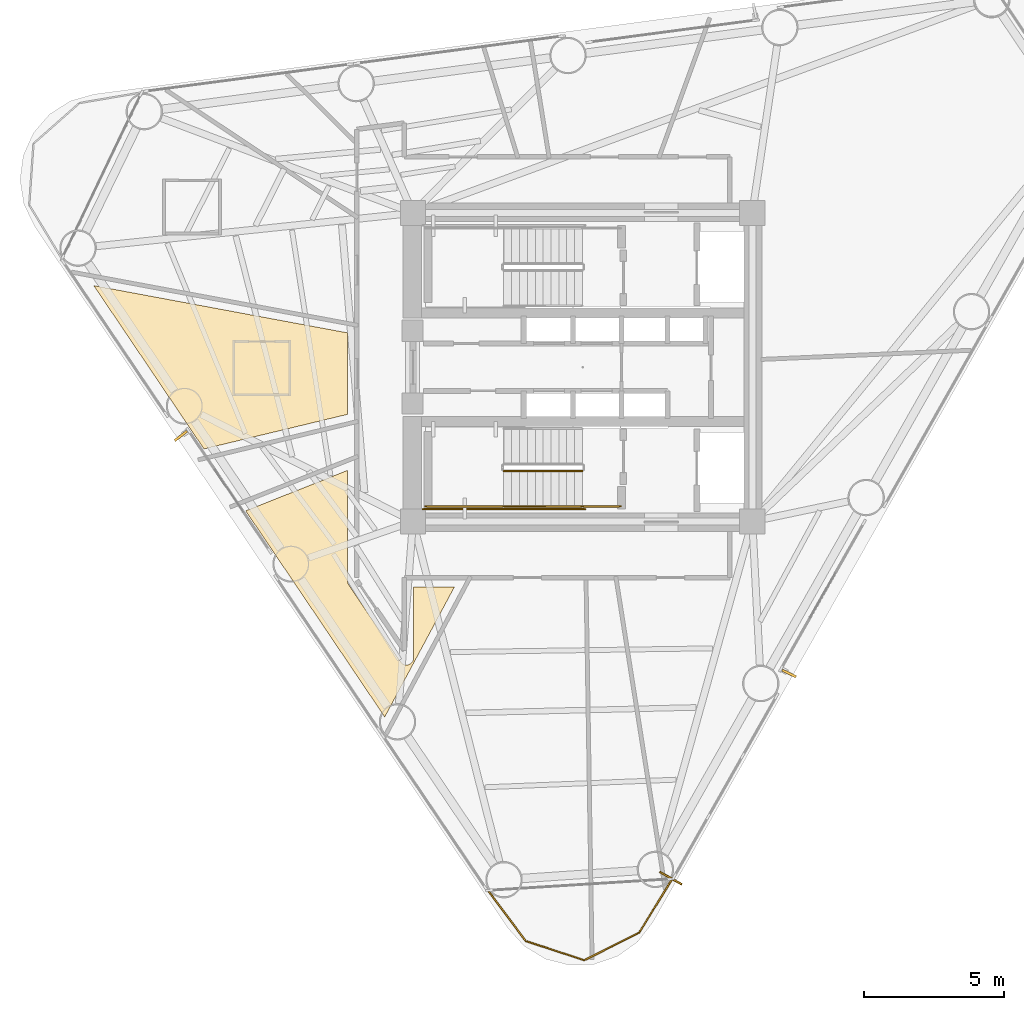
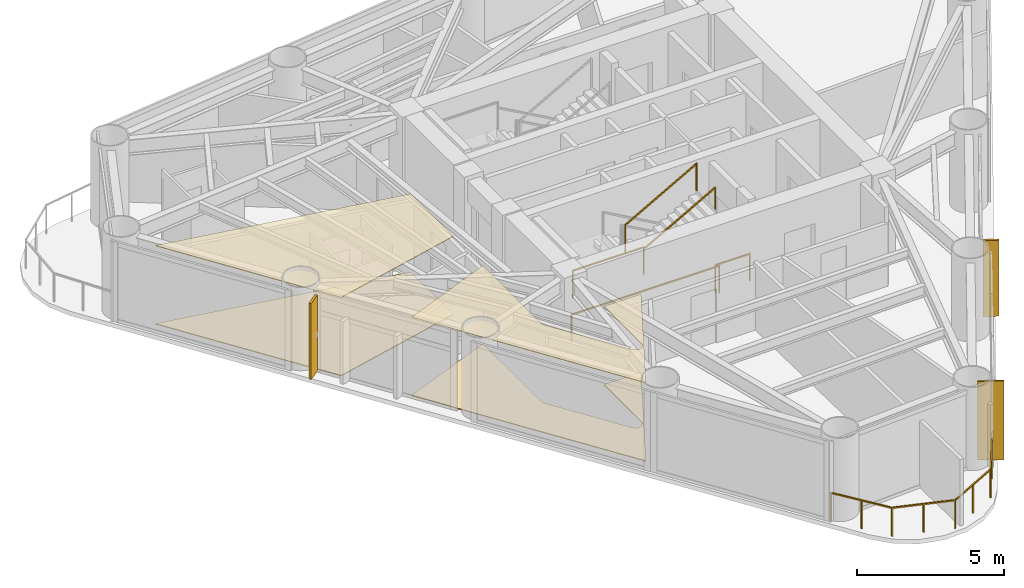
# One storey, part 7 of 10: 6 railings, 5 coverings, 2 shading devices.
"""IFC4 building model written with IfcOpenShell, lengths in metres."""

from ifc_helpers import new_model, si_unit, direction, frame, origin, origin_2d, place, context, subcontext, project, spatial, polyline, rectangle, outline, extrude, source, transform, mapped, material, layer, layer_set, material_profile, profile_set, type_object, element, save


model = new_model("IFC4")

# Units and contexts
model_context = context("Model", 3, precision=1e-05, world=origin(), true_north=direction((0.0, 1.0)))
body_context = subcontext(model_context, "Body", "Model", "MODEL_VIEW")
ifc_project = project(units=[si_unit("LENGTHUNIT", "METRE"), si_unit("AREAUNIT", "SQUARE_METRE"), si_unit("VOLUMEUNIT", "CUBIC_METRE"), si_unit("PLANEANGLEUNIT", "RADIAN"), si_unit("MASSUNIT", "GRAM", prefix="KILO")], contexts=[model_context])

# Site, building, storey
site_placement = place(None, origin())
site = spatial("IfcSite", under=ifc_project, at=site_placement, CompositionType="ELEMENT")
building_placement = place(site_placement, origin())
building = spatial("IfcBuilding", under=site, at=building_placement, Name="Yunling Apex Tower", CompositionType="ELEMENT")
storey_placement = place(building_placement, frame((0.0, 0.0, 158.75)))
storey = spatial("IfcBuildingStorey", under=building, at=storey_placement, Name="L38", CompositionType="ELEMENT", Elevation=158.75)

# Coverings
ifc_material_1 = material(Name="Acoustic mineral fibre ceiling")
ifc_layer_1 = layer(ifc_material_1, 0.02490234375)
ifc_layer_set_1 = layer_set([ifc_layer_1], Name="Acoustic mineral fibre ceiling")
covering_type_1 = type_object("IfcCoveringType", Name="CV-CLG-1", PredefinedType="CEILING", material=ifc_layer_set_1)
covering_1_placement = place(storey_placement, frame((0.0, 0.0, 3.2451171875)))
element("IfcCovering", 1, at=covering_1_placement, inside=storey, type_object=covering_type_1, Name="CV-CL-SP-L38-HAM1", PredefinedType="CEILING", context=body_context, shape_type="SweptSolid", body=[
    extrude(outline(polyline([(-7.056884765625, -12.47216796875), (-12.01513671875, -5.12109375), (-8.3798828125, -3.678955078125), (-8.3798828125, -7.630126953125), (-8.37939453125, -7.6513671875), (-8.375, -7.677001953125), (-8.369384765625, -7.698974609375), (-8.361083984375, -7.722900390625), (-8.35009765625, -7.7451171875), (-8.340576171875, -7.76123046875), (-6.48291015625, -10.515380859375), (-6.47119140625, -10.5302734375), (-6.456787109375, -10.546142578125), (-6.438720703125, -10.562744140625), (-6.417236328125, -10.578369140625), (-6.398193359375, -10.58935546875), (-6.374755859375, -10.601318359375), (-6.34912109375, -10.609619140625), (-6.331298828125, -10.614013671875), (-6.305419921875, -10.618408203125), (-6.27587890625, -10.619384765625), (-6.25439453125, -10.617919921875), (-6.233154296875, -10.614990234375), (-6.20703125, -10.608642578125), (-6.182373046875, -10.599609375), (-6.161376953125, -10.58935546875), (-6.14306640625, -10.578369140625), (-6.12060546875, -10.5625), (-6.101318359375, -10.544189453125), (-6.0869140625, -10.5283203125), (-6.072265625, -10.508544921875), (-6.05859375, -10.486083984375), (-6.04833984375, -10.4638671875), (-6.040283203125, -10.44091796875), (-6.034912109375, -10.41943359375), (-6.03076171875, -10.39453125), (-6.030029296875, -10.372802734375), (-6.030029296875, -7.830078125), (-4.569580078125, -7.830078125), (-7.056884765625, -12.47216796875)])), origin(), (0.0, 0.0, 1.0), 0.02490234375),
])
covering_2_placement = place(storey_placement, frame((0.0, 0.0, 3.2451171875)))
element("IfcCovering", 2, at=covering_2_placement, inside=storey, type_object=covering_type_1, Name="CV-CL-SP-L38-GR12", PredefinedType="CEILING", context=body_context, shape_type="SweptSolid", body=[
    extrude(outline(polyline([(-17.431884765625, 2.909423828125), (-8.3798828125, 1.224365234375), (-8.3798828125, -1.679443359375), (-13.50390625, -2.913818359375), (-17.431884765625, 2.909423828125)])), origin(), (0.0, 0.0, 1.0), 0.02490234375),
])
ifc_material_2 = material(Name="Polished granite stone", Category="masonry")
ifc_layer_2 = layer(ifc_material_2, 0.030029296875)
ifc_layer_set_2 = layer_set([ifc_layer_2], Name="Polished granite stone")
covering_type_2 = type_object("IfcCoveringType", Name="CV-FLR-1", PredefinedType="FLOORING", material=ifc_layer_set_2)
covering_3_placement = place(storey_placement, origin())
element("IfcCovering", 3, at=covering_3_placement, inside=storey, type_object=covering_type_2, Name="CV-FL-SP-L38-HAM1", PredefinedType="FLOORING", context=body_context, shape_type="SweptSolid", body=[
    extrude(outline(polyline([(-7.056884765625, -12.47216796875), (-12.01513671875, -5.12109375), (-8.3798828125, -3.678955078125), (-8.3798828125, -7.630126953125), (-8.37939453125, -7.6513671875), (-8.375, -7.677001953125), (-8.369384765625, -7.698974609375), (-8.361083984375, -7.722900390625), (-8.35009765625, -7.7451171875), (-8.340576171875, -7.76123046875), (-6.48291015625, -10.515380859375), (-6.47119140625, -10.5302734375), (-6.456787109375, -10.546142578125), (-6.438720703125, -10.562744140625), (-6.417236328125, -10.578369140625), (-6.398193359375, -10.58935546875), (-6.374755859375, -10.601318359375), (-6.34912109375, -10.609619140625), (-6.331298828125, -10.614013671875), (-6.305419921875, -10.618408203125), (-6.27587890625, -10.619384765625), (-6.25439453125, -10.617919921875), (-6.233154296875, -10.614990234375), (-6.20703125, -10.608642578125), (-6.182373046875, -10.599609375), (-6.161376953125, -10.58935546875), (-6.14306640625, -10.578369140625), (-6.12060546875, -10.5625), (-6.101318359375, -10.544189453125), (-6.0869140625, -10.5283203125), (-6.072265625, -10.508544921875), (-6.05859375, -10.486083984375), (-6.04833984375, -10.4638671875), (-6.040283203125, -10.44091796875), (-6.034912109375, -10.41943359375), (-6.03076171875, -10.39453125), (-6.030029296875, -10.372802734375), (-6.030029296875, -7.830078125), (-4.569580078125, -7.830078125), (-7.056884765625, -12.47216796875)])), origin(), (0.0, 0.0, 1.0), 0.030029296875),
])
covering_4_placement = place(storey_placement, origin())
element("IfcCovering", 4, at=covering_4_placement, inside=storey, type_object=covering_type_2, Name="CV-FL-SP-L38-GR12", PredefinedType="FLOORING", context=body_context, shape_type="SweptSolid", body=[
    extrude(outline(polyline([(-17.431884765625, 2.909423828125), (-8.3798828125, 1.224365234375), (-8.3798828125, -1.679443359375), (-13.50390625, -2.913818359375), (-17.431884765625, 2.909423828125)])), origin(), (0.0, 0.0, 1.0), 0.030029296875),
])

# Railings
ifc_material_3 = material(Name="Bronze anodised aluminium", Category="aluminium")
railing_type_1 = type_object("IfcRailingType", Name="RL-BAL-1200", PredefinedType="BALUSTRADE", material=ifc_material_3)
railing_1_placement = place(storey_placement, frame((3.195068359375, -18.248046875, 0.0)))
element("IfcRailing", 5, at=railing_1_placement, inside=storey, type_object=railing_type_1, Name="RL-CRNSILL-L38-3", PredefinedType="BALUSTRADE", context=body_context, shape_type="SweptSolid", body=[
    extrude(rectangle(XDim=0.0439453125, YDim=0.0439453125, at=origin_2d()), origin(), (0.0, 0.0, 1.0), 1.199951171875),
    extrude(rectangle(XDim=0.0439453125, YDim=0.0439453125, at=origin_2d()), frame((-1.182861328125, -1.91845703125, 0.0)), (0.0, 0.0, 1.0), 1.199951171875),
    extrude(rectangle(XDim=0.050048828125, YDim=0.050048828125, at=origin_2d()), frame((-0.02001953125, -0.03271484375, 1.1748046875), z_axis=(-0.524828533939, -0.851207971041, 0.0), x_axis=(0.851207971041, -0.524828533939, 0.0)), (0.0, 0.0, 1.0), 2.17724609375),
    extrude(rectangle(XDim=0.0439453125, YDim=0.0439453125, at=origin_2d()), frame((-0.59130859375, -0.959228515625, 0.0)), (0.0, 0.0, 1.0), 1.14599609375),
    extrude(rectangle(XDim=0.0439453125, YDim=0.0439453125, at=origin_2d()), frame((-3.1376953125, -2.895751953125, 0.0)), (0.0, 0.0, 1.0), 1.199951171875),
    extrude(rectangle(XDim=0.050048828125, YDim=0.050048828125, at=origin_2d()), frame((-1.217041015625, -1.935546875, 1.1748046875), z_axis=(-0.894449531573, -0.447168911563, 0.0), x_axis=(0.447168911563, -0.894449531573, 0.0)), (0.0, 0.0, 1.0), 2.10888671875),
    extrude(rectangle(XDim=0.0439453125, YDim=0.0439453125, at=origin_2d()), frame((-2.16015625, -2.4072265625, 0.0)), (0.0, 0.0, 1.0), 1.14599609375),
    extrude(rectangle(XDim=0.0439453125, YDim=0.0439453125, at=origin_2d()), frame((-5.22265625, -2.216552734375, 0.0)), (0.0, 0.0, 1.0), 1.199951171875),
    extrude(rectangle(XDim=0.050048828125, YDim=0.050048828125, at=origin_2d()), frame((-3.174072265625, -2.8837890625, 1.1748046875), z_axis=(-0.950821112954, 0.309740554595, 0.0), x_axis=(-0.309740554595, -0.950821112954, 0.0)), (0.0, 0.0, 1.0), 2.1162109375),
    extrude(rectangle(XDim=0.0439453125, YDim=0.0439453125, at=origin_2d()), frame((-4.18017578125, -2.55615234375, 0.0)), (0.0, 0.0, 1.0), 1.14599609375),
    extrude(rectangle(XDim=0.0439453125, YDim=0.0439453125, at=origin_2d()), frame((-6.572021484375, -0.412841796875, 0.0)), (0.0, 0.0, 1.0), 1.199951171875),
    extrude(rectangle(XDim=0.050048828125, YDim=0.050048828125, at=origin_2d()), frame((-5.24560546875, -2.185791015625, 1.1748046875), z_axis=(-0.599028453381, 0.800727739023, 0.0), x_axis=(-0.800727739023, -0.599028453381, 0.0)), (0.0, 0.0, 1.0), 2.176025390625),
    extrude(rectangle(XDim=0.0439453125, YDim=0.0439453125, at=origin_2d()), frame((-5.8974609375, -1.314697265625, 0.0)), (0.0, 0.0, 1.0), 1.14599609375),
])
ifc_material_4 = material(Name="Steel Q355B", Category="steel")
railing_type_2 = type_object("IfcRailingType", Name="RL-GRD-1150", PredefinedType="GUARDRAIL", material=ifc_material_4)
railing_2_placement = place(storey_placement, frame((-2.81005859375, -4.9599609375, 1.72509765625)))
element("IfcRailing", 6, at=railing_2_placement, inside=storey, type_object=railing_type_2, Name="L38 ST-2 stair guard 3", PredefinedType="GUARDRAIL", context=body_context, shape_type="SweptSolid", body=[
    extrude(rectangle(XDim=0.0439453125, YDim=0.0439453125, at=origin_2d()), origin(), (0.0, 0.0, 1.0), 1.14990234375),
    extrude(rectangle(XDim=0.0439453125, YDim=0.0439453125, at=origin_2d()), frame((-2.7900390625, 0.0, 0.0)), (0.0, 0.0, 1.0), 1.14990234375),
    extrude(rectangle(XDim=0.050048828125, YDim=0.050048828125, at=origin_2d()), frame((-0.038330078125, 0.0, 1.125), z_axis=(-1.0, 0.0, 0.0), x_axis=(0.0, -1.0, 0.0)), (0.0, 0.0, 1.0), 2.71337890625),
])
railing_3_placement = place(storey_placement, frame((-2.81005859375, -3.699951171875, 1.8818359375)))
element("IfcRailing", 7, at=railing_3_placement, inside=storey, type_object=railing_type_2, Name="L38 ST-2 stair guard 4", PredefinedType="GUARDRAIL", context=body_context, shape_type="SweptSolid", body=[
    extrude(rectangle(XDim=0.0439453125, YDim=0.0439453125, at=origin_2d()), origin(), (0.0, 0.0, 1.0), 1.14990234375),
    extrude(rectangle(XDim=0.0439453125, YDim=0.0439453125, at=origin_2d()), frame((2.800048828125, 0.0, 1.568115234375)), (0.0, 0.0, 1.0), 1.14990234375),
    extrude(rectangle(XDim=0.050048828125, YDim=0.050048828125, at=origin_2d()), frame((0.033447265625, 0.0, 1.1435546875), z_axis=(0.872494340497, 0.0, 0.48862421737), x_axis=(0.0, 1.0, 0.0)), (0.0, 0.0, 1.0), 3.132568359375),
])
railing_4_placement = place(storey_placement, frame((1.35009765625, -4.9599609375, 0.0)))
element("IfcRailing", 8, at=railing_4_placement, inside=storey, type_object=railing_type_2, Name="L38 ST-2 stair guard 6", PredefinedType="GUARDRAIL", context=body_context, shape_type="SweptSolid", body=[
    extrude(rectangle(XDim=0.0439453125, YDim=0.0439453125, at=origin_2d()), origin(), (0.0, 0.0, 1.0), 1.14990234375),
    extrude(rectangle(XDim=0.0439453125, YDim=0.0439453125, at=origin_2d()), frame((-1.360107421875, 0.0, 0.0)), (0.0, 0.0, 1.0), 1.14990234375),
    extrude(rectangle(XDim=0.050048828125, YDim=0.050048828125, at=origin_2d()), frame((-0.038330078125, 0.0, 1.125), z_axis=(-1.0, 0.0, 0.0), x_axis=(0.0, -1.0, 0.0)), (0.0, 0.0, 1.0), 1.283447265625),
])
railing_5_placement = place(storey_placement, frame((0.090087890625, -5.06005859375, 0.0)))
element("IfcRailing", 9, at=railing_5_placement, inside=storey, type_object=railing_type_2, Name="L38 ST-2 stair guard 7", PredefinedType="GUARDRAIL", context=body_context, shape_type="SweptSolid", body=[
    extrude(rectangle(XDim=0.0439453125, YDim=0.0439453125, at=origin_2d()), origin(), (0.0, 0.0, 1.0), 1.14990234375),
    extrude(rectangle(XDim=0.0439453125, YDim=0.0439453125, at=origin_2d()), frame((-5.7900390625, 0.0, 0.0)), (0.0, 0.0, 1.0), 1.14990234375),
    extrude(rectangle(XDim=0.050048828125, YDim=0.050048828125, at=origin_2d()), frame((-0.038330078125, 0.0, 1.125), z_axis=(-1.0, 0.0, 0.0), x_axis=(0.0, -1.0, 0.0)), (0.0, 0.0, 1.0), 5.71337890625),
])
ifc_material_5 = material(Name="Silver anodised aluminium", Category="aluminium")
railing_type_3 = type_object("IfcRailingType", Name="RL-HND-900", PredefinedType="HANDRAIL", material=ifc_material_5)
railing_6_placement = place(storey_placement, frame((-2.81005859375, -4.9599609375, 1.8818359375)))
element("IfcRailing", 10, at=railing_6_placement, inside=storey, type_object=railing_type_3, Name="L38 ST-2 stair handrail 2", PredefinedType="HANDRAIL", context=body_context, shape_type="SweptSolid", body=[
    extrude(rectangle(XDim=0.0439453125, YDim=0.0439453125, at=origin_2d()), origin(), (0.0, 0.0, 1.0), 0.919921875),
    extrude(rectangle(XDim=0.0439453125, YDim=0.0439453125, at=origin_2d()), frame((2.800048828125, 0.0, 1.568115234375)), (0.0, 0.0, 1.0), 0.919921875),
    extrude(rectangle(XDim=0.050048828125, YDim=0.050048828125, at=origin_2d()), frame((0.033447265625, 0.0, 0.91357421875), z_axis=(0.872494340497, 0.0, 0.48862421737), x_axis=(0.0, 1.0, 0.0)), (0.0, 0.0, 1.0), 3.132568359375),
])

# Covering
ifc_layer_3 = layer(ifc_material_3, 0.0400390625)
ifc_layer_set_3 = layer_set([ifc_layer_3], Name="Bronze anodised aluminium")
covering_type_3 = type_object("IfcCoveringType", Name="CV-CLD-1", PredefinedType="CLADDING", material=ifc_layer_set_3)
shared_shape_1 = source(origin(), body_context, "Body", "SweptSolid", [
    extrude(rectangle(XDim=0.06005859375, YDim=0.89990234375, at=origin_2d()), origin(), (0.0, 0.0, 1.0), 3.27001953125),
])
covering_5_placement = place(storey_placement, frame((3.142822265625, -18.218505859375, 0.0), z_axis=(0.0, 0.0, 1.0), x_axis=(0.493031062956, 0.87001170737, 0.0)))
element("IfcCovering", 11, at=covering_5_placement, inside=storey, type_object=covering_type_3, Name="CV-CLD-L38", PredefinedType="CLADDING", context=body_context, shape_type="MappedRepresentation", body=[
    mapped(shared_shape_1, transform((0.0, 0.0, 0.0), scale=1.0)),
])

# Shading devices
ifc_material_profile = material_profile(ifc_material_3, rectangle(XDim=0.0849609375, YDim=0.550048828125, at=origin_2d()))
ifc_profile_set = profile_set([ifc_material_profile], Name="Bronze anodised aluminium")
shading_device_type = type_object("IfcShadingDeviceType", Name="FN-BRZ-3", PredefinedType="USERDEFINED", material=ifc_profile_set)
shared_shape_2 = source(origin(), body_context, "Body", "SweptSolid", [
    extrude(rectangle(XDim=0.0849609375, YDim=0.550048828125, at=origin_2d()), origin(), (0.0, 0.0, 1.0), 3.14990234375),
])
for number, where, z_axis, x_axis, name in (
    (12, (7.364501953125, -10.9208984375, 0.06005859375), (0.0, 0.0, 1.0), (0.435073957475, 0.900394719846, 0.0), "CW-L38-F1-B2-FIN-01"),
    (13, (-14.3291015625, -2.45068359375, 0.06005859375), (0.0, 0.0, 1.0), (0.612217280034, -0.790689573744, 0.0), "CW-L38-F3-B2-FIN-01"),
):
    element("IfcShadingDevice", number, at=place(storey_placement, frame(where, z_axis=z_axis, x_axis=x_axis)), inside=storey, type_object=shading_device_type, Name=name, ObjectType="FIN", PredefinedType="USERDEFINED", context=body_context, shape_type="MappedRepresentation", body=[
        mapped(shared_shape_2, transform((0.0, 0.0, 0.0), scale=1.0)),
    ])

save(model, "model.ifc")
